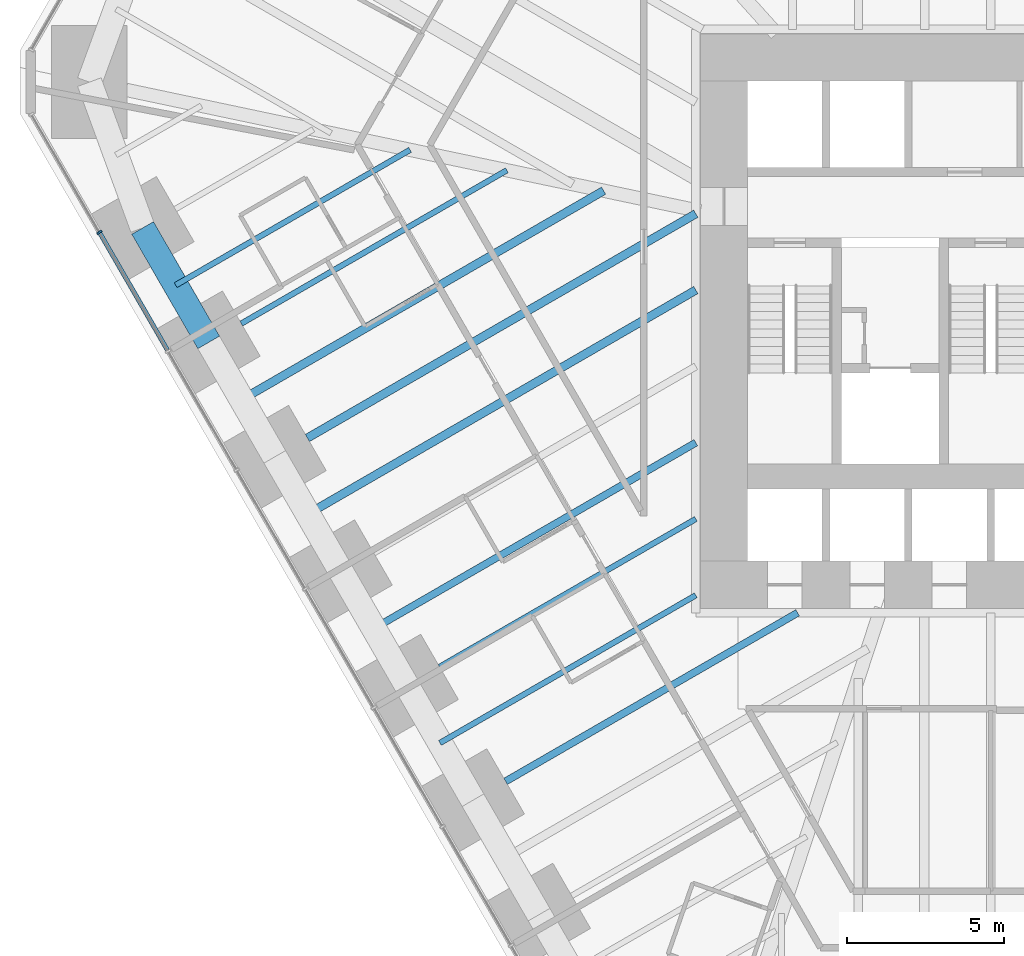
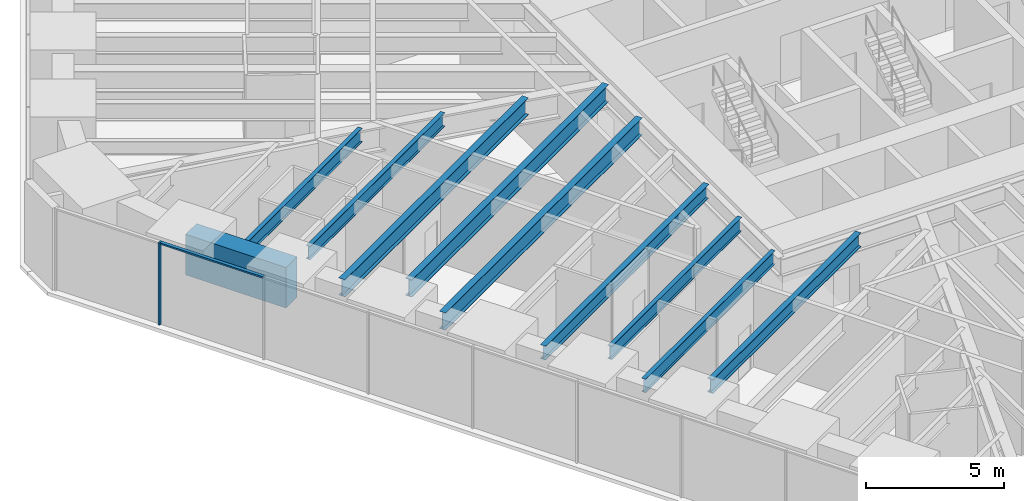
# One storey, part 3 of 17: 10 beams, 2 members, 1 element without a shape of its own.
"""IFC4 building model written with IfcOpenShell, lengths in metres."""

from ifc_helpers import new_model, si_unit, direction, frame, origin, origin_2d, place, context, subcontext, project, spatial, rectangle, i_section, extrude, material, material_profile, profile_set, type_object, element, aggregate, save


model = new_model("IFC4")

# Units and contexts
model_context = context("Model", 3, precision=1e-05, world=origin(), true_north=direction((0.0, 1.0)))
body_context = subcontext(model_context, "Body", "Model", "MODEL_VIEW")
ifc_project = project(units=[si_unit("LENGTHUNIT", "METRE"), si_unit("AREAUNIT", "SQUARE_METRE"), si_unit("VOLUMEUNIT", "CUBIC_METRE"), si_unit("PLANEANGLEUNIT", "RADIAN"), si_unit("MASSUNIT", "GRAM", prefix="KILO")], contexts=[model_context])

# Site, building, storey
site_placement = place(None, origin())
site = spatial("IfcSite", under=ifc_project, at=site_placement, CompositionType="ELEMENT")
building_placement = place(site_placement, origin())
building = spatial("IfcBuilding", under=site, at=building_placement, Name="Sandreach Pilgrim Tower", CompositionType="ELEMENT")
storey_placement = place(building_placement, frame((0.0, 0.0, 30.60009765625)))
storey = spatial("IfcBuildingStorey", under=building, at=storey_placement, Name="L06", CompositionType="ELEMENT", Elevation=30.60009765625)

# Curtain wall, members
ifc_material_1 = material(Name="Aluminium framed curtain wall", Category="aluminium")
curtain_wall_type = type_object("IfcCurtainWallType", Name="Hostel tower curtain wall", PredefinedType="NOTDEFINED", material=ifc_material_1)
curtain_wall_placement = place(storey_placement, origin())
curtain_wall = element("IfcCurtainWall", 1, at=curtain_wall_placement, inside=storey, type_object=curtain_wall_type, Name="CW-1 L06 SW", PredefinedType="NOTDEFINED")
ifc_material_2 = material(Name="Aluminium extrusion", Category="aluminium")
ifc_material_profile_1 = material_profile(ifc_material_2, rectangle(XDim=0.06494140625, YDim=0.179931640625, at=origin_2d()), Name="CW-1M 65X180")
ifc_profile_set_1 = profile_set([ifc_material_profile_1], Name="Aluminium extrusion")
member_type_1 = type_object("IfcMemberType", Name="CW-1 mullion", PredefinedType="MULLION", material=ifc_profile_set_1)
member_1_placement = place(storey_placement, frame((-28.390380859375, 1.2763671875, 0.0), z_axis=(0.0, 0.0, 1.0), x_axis=(-0.5, 0.866025403784, 0.0)))
member_1 = element("IfcMember", 2, at=member_1_placement, type_object=member_type_1, Name="CW-1 mullion 9", PredefinedType="MULLION", context=body_context, shape_type="SweptSolid", body=[
    extrude(rectangle(XDim=0.06494140625, YDim=0.179931640625, at=origin_2d()), origin(), (0.0, 0.0, 1.0), 3.639892578125),
])
ifc_material_3 = material(Name="Aluminium extrusion", Category="aluminium")
ifc_material_profile_2 = material_profile(ifc_material_3, rectangle(XDim=0.139892578125, YDim=0.070068359375, at=origin_2d()), Name="CW-1T 140X70")
ifc_profile_set_2 = profile_set([ifc_material_profile_2], Name="Aluminium extrusion")
member_type_2 = type_object("IfcMemberType", Name="CW-1 transom", PredefinedType="USERDEFINED", material=ifc_profile_set_2)
member_2_placement = place(storey_placement, frame((-26.220947265625, -2.4814453125, 3.60498046875), z_axis=(-0.500016891966, 0.866015650984, 0.0), x_axis=(-0.866015650984, -0.500016891966, 0.0)))
member_2 = element("IfcMember", 3, at=member_2_placement, type_object=member_type_2, Name="CW-1 head transom 8", ObjectType="TRANSOM", PredefinedType="USERDEFINED", context=body_context, shape_type="SweptSolid", body=[
    extrude(rectangle(XDim=0.139892578125, YDim=0.070068359375, at=origin_2d()), origin(), (0.0, 0.0, 1.0), 4.306396484375),
])
aggregate(curtain_wall, [member_1, member_2])

# Beams
ifc_material_4 = material(Name="Steel ASTM A992 Grade 50", Category="steel")
ifc_material_profile_3 = material_profile(ifc_material_4, i_section(OverallWidth=0.1787109375, OverallDepth=0.60205078125, WebThickness=0.010986328125, FlangeThickness=0.014892578125, at=origin_2d()), Name="W24X62")
ifc_profile_set_3 = profile_set([ifc_material_profile_3], Name="Steel ASTM A992 Grade 50")
beam_type_1 = type_object("IfcBeamType", Name="Floor beam W24X62", PredefinedType="BEAM", material=ifc_profile_set_3)
beam_1_placement = place(storey_placement, frame((-17.557373046875, -12.5673828125, 3.3388671875), z_axis=(0.866020839647, 0.500007905235, 0.0), x_axis=(-0.500007905235, 0.866020839647, 0.0)))
element("IfcBeam", 4, at=beam_1_placement, inside=storey, type_object=beam_type_1, Name="BM L06 F30", PredefinedType="BEAM", context=body_context, shape_type="SweptSolid", body=[
    extrude(i_section(OverallWidth=0.1787109375, OverallDepth=0.60205078125, WebThickness=0.010986328125, FlangeThickness=0.014892578125, at=origin_2d()), origin(), (0.0, 0.0, 1.0), 9.427001953125),
])
beam_2_placement = place(storey_placement, frame((-23.8720703125, -1.629638671875, 3.3388671875), z_axis=(0.866025751498, 0.499999397742, 0.0), x_axis=(-0.499999397742, 0.866025751498, 0.0)))
element("IfcBeam", 5, at=beam_2_placement, inside=storey, type_object=beam_type_1, Name="BM L06 F33", PredefinedType="BEAM", context=body_context, shape_type="SweptSolid", body=[
    extrude(i_section(OverallWidth=0.1787109375, OverallDepth=0.60205078125, WebThickness=0.010986328125, FlangeThickness=0.014892578125, at=origin_2d()), origin(), (0.0, 0.0, 1.0), 9.767578125),
])
beam_3_placement = place(storey_placement, frame((-17.5439453125, -14.990234375, 3.3388671875), z_axis=(0.86602359238, 0.500003137431, 0.0), x_axis=(-0.500003137431, 0.86602359238, 0.0)))
element("IfcBeam", 6, at=beam_3_placement, inside=storey, type_object=beam_type_1, Name="BM L06 FM29", PredefinedType="BEAM", context=body_context, shape_type="SweptSolid", body=[
    extrude(i_section(OverallWidth=0.1787109375, OverallDepth=0.60205078125, WebThickness=0.010986328125, FlangeThickness=0.014892578125, at=origin_2d()), origin(), (0.0, 0.0, 1.0), 9.41162109375),
])
beam_4_placement = place(storey_placement, frame((-25.9638671875, -0.40673828125, 3.3388671875), z_axis=(0.866020100198, 0.500009185969, 0.0), x_axis=(-0.500009185969, 0.866020100198, 0.0)))
element("IfcBeam", 7, at=beam_4_placement, inside=storey, type_object=beam_type_1, Name="BM L06 FM33", PredefinedType="BEAM", context=body_context, shape_type="SweptSolid", body=[
    extrude(i_section(OverallWidth=0.1787109375, OverallDepth=0.60205078125, WebThickness=0.010986328125, FlangeThickness=0.014892578125, at=origin_2d()), origin(), (0.0, 0.0, 1.0), 8.623291015625),
])
ifc_material_5 = material(Name="Steel ASTM A992 Grade 50", Category="steel")
ifc_material_profile_4 = material_profile(ifc_material_5, i_section(OverallWidth=0.23046875, OverallDepth=0.6171875, WebThickness=0.01318359375, FlangeThickness=0.022216796875, at=origin_2d()), Name="W24X94")
ifc_profile_set_4 = profile_set([ifc_material_profile_4], Name="Steel ASTM A992 Grade 50")
beam_type_2 = type_object("IfcBeamType", Name="Floor beam W24X94", PredefinedType="BEAM", material=ifc_profile_set_4)
beam_5_placement = place(storey_placement, frame((-15.452392578125, -16.213134765625, 3.331298828125), z_axis=(0.866028486751, 0.499994660107, 0.0), x_axis=(-0.499994660107, 0.866028486751, 0.0)))
element("IfcBeam", 8, at=beam_5_placement, inside=storey, type_object=beam_type_2, Name="BM L06 F29", PredefinedType="BEAM", context=body_context, shape_type="SweptSolid", body=[
    extrude(i_section(OverallWidth=0.23046875, OverallDepth=0.6171875, WebThickness=0.01318359375, FlangeThickness=0.022216796875, at=origin_2d()), origin(), (0.0, 0.0, 1.0), 10.73974609375),
])
beam_6_placement = place(storey_placement, frame((-19.64892578125, -11.34423828125, 3.331298828125), z_axis=(0.866032123691, 0.4999883606, 0.0), x_axis=(-0.4999883606, 0.866032123691, 0.0)))
element("IfcBeam", 9, at=beam_6_placement, inside=storey, type_object=beam_type_2, Name="BM L06 FM30", PredefinedType="BEAM", context=body_context, shape_type="SweptSolid", body=[
    extrude(i_section(OverallWidth=0.23046875, OverallDepth=0.6171875, WebThickness=0.01318359375, FlangeThickness=0.022216796875, at=origin_2d()), origin(), (0.0, 0.0, 1.0), 11.842041015625),
])
ifc_material_6 = material(Name="Steel ASTM A992 Grade 50", Category="steel")
ifc_material_profile_5 = material_profile(ifc_material_6, i_section(OverallWidth=0.2666015625, OverallDepth=0.761962890625, WebThickness=0.014404296875, FlangeThickness=0.021484375, at=origin_2d()), Name="W30X116")
ifc_profile_set_5 = profile_set([ifc_material_profile_5], Name="Steel ASTM A992 Grade 50")
beam_type_3 = type_object("IfcBeamType", Name="Floor beam W30X116", PredefinedType="BEAM", material=ifc_profile_set_5)
beam_7_placement = place(storey_placement, frame((-21.76708984375, -5.275390625, 3.2587890625), z_axis=(0.866024247282, 0.500002003116, 0.0), x_axis=(-0.500002003116, 0.866024247282, 0.0)))
element("IfcBeam", 10, at=beam_7_placement, inside=storey, type_object=beam_type_3, Name="BM L06 F32", PredefinedType="BEAM", context=body_context, shape_type="SweptSolid", body=[
    extrude(i_section(OverallWidth=0.2666015625, OverallDepth=0.761962890625, WebThickness=0.014404296875, FlangeThickness=0.021484375, at=origin_2d()), origin(), (0.0, 0.0, 1.0), 14.2880859375),
])
beam_8_placement = place(storey_placement, frame((-21.75390625, -7.698486328125, 3.2587890625), z_axis=(0.866022935671, 0.500004274874, 0.0), x_axis=(-0.500004274874, 0.866022935671, 0.0)))
element("IfcBeam", 11, at=beam_8_placement, inside=storey, type_object=beam_type_3, Name="BM L06 FM31", PredefinedType="BEAM", context=body_context, shape_type="SweptSolid", body=[
    extrude(i_section(OverallWidth=0.2666015625, OverallDepth=0.761962890625, WebThickness=0.014404296875, FlangeThickness=0.021484375, at=origin_2d()), origin(), (0.0, 0.0, 1.0), 14.27294921875),
])
beam_9_placement = place(storey_placement, frame((-23.85888671875, -4.052490234375, 3.2587890625), z_axis=(0.866029213426, 0.499993401449, 0.0), x_axis=(-0.499993401449, 0.866029213426, 0.0)))
element("IfcBeam", 12, at=beam_9_placement, inside=storey, type_object=beam_type_3, Name="BM L06 FM32", PredefinedType="BEAM", context=body_context, shape_type="SweptSolid", body=[
    extrude(i_section(OverallWidth=0.2666015625, OverallDepth=0.761962890625, WebThickness=0.014404296875, FlangeThickness=0.021484375, at=origin_2d()), origin(), (0.0, 0.0, 1.0), 13.311767578125),
])
ifc_material_7 = material(Name="Concrete 10000 psi", Category="concrete")
ifc_material_profile_6 = material_profile(ifc_material_7, rectangle(XDim=0.800048828125, YDim=1.800048828125, at=origin_2d()), Name="RC800X1800")
ifc_profile_set_6 = profile_set([ifc_material_profile_6], Name="Concrete 10000 psi")
beam_type_4 = type_object("IfcBeamType", Name="Spandrel beam RC800X1800", PredefinedType="SPANDREL", material=ifc_profile_set_6)
beam_10_placement = place(storey_placement, frame((-24.911376953125, -2.229736328125, 2.739990234375), z_axis=(-0.499993523031, 0.866029143232, 0.0), x_axis=(-0.866029143232, -0.499993523031, 0.0)))
element("IfcBeam", 13, at=beam_10_placement, inside=storey, type_object=beam_type_4, Name="BM L06 SP33", PredefinedType="SPANDREL", context=body_context, shape_type="SweptSolid", body=[
    extrude(rectangle(XDim=0.800048828125, YDim=1.800048828125, at=origin_2d()), origin(), (0.0, 0.0, 1.0), 4.2099609375),
])

save(model, "model.ifc")
